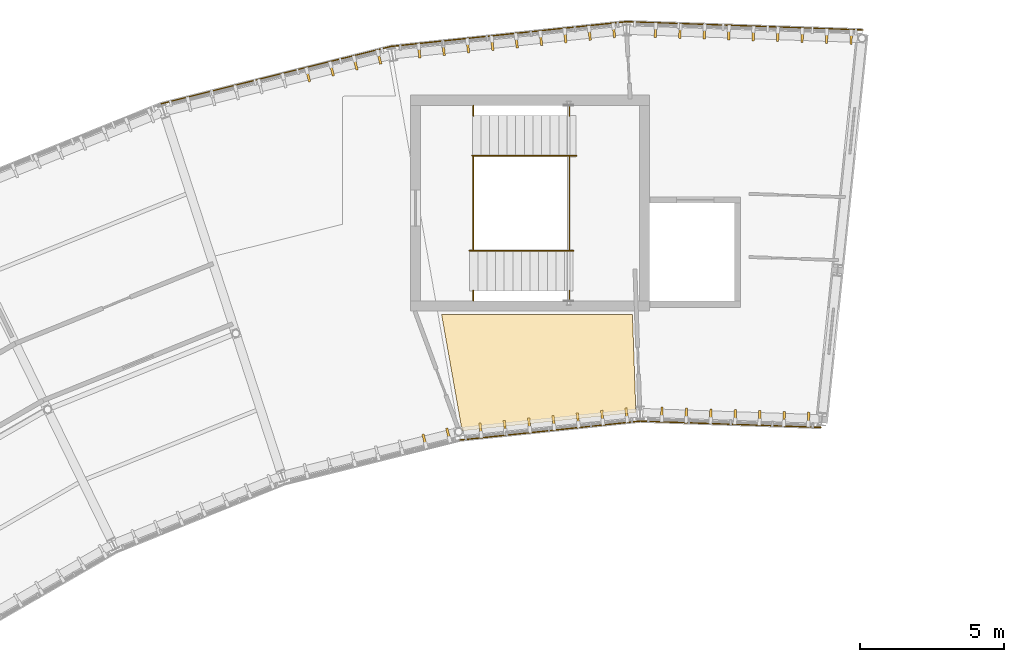
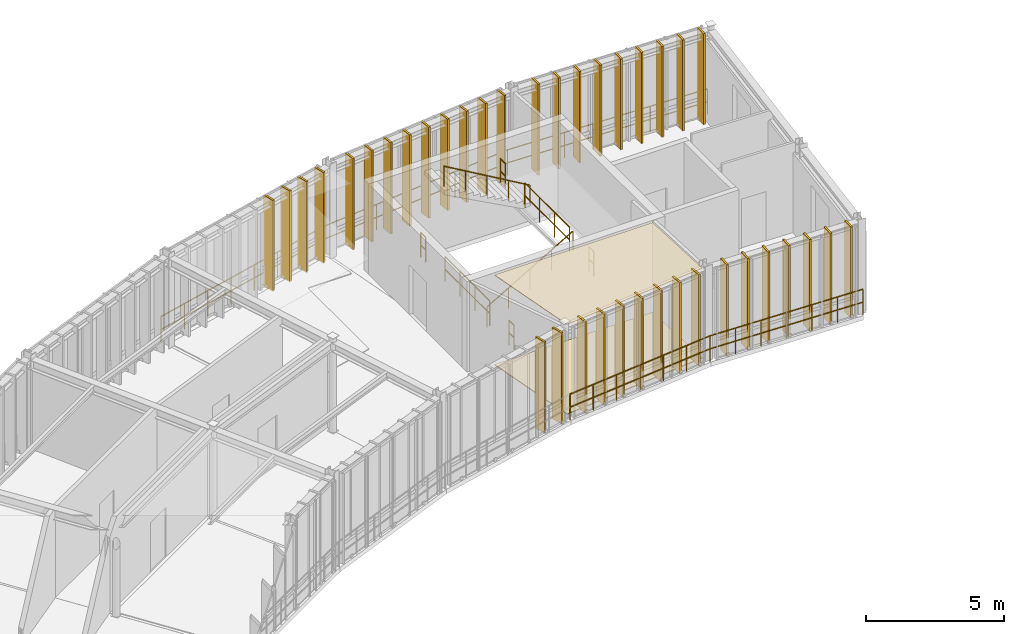
# One storey, part 52 of 52: 40 coverings, 13 railings.
"""IFC4 building model written with IfcOpenShell, lengths in metres."""

from ifc_helpers import new_model, si_unit, direction, frame, origin, origin_2d, place, context, subcontext, project, spatial, polyline, rectangle, circle, outline, extrude, material, layer, layer_set, type_object, element, save


model = new_model("IFC4")

# Units and contexts
model_context = context("Model", 3, precision=1e-05, world=origin(), true_north=direction((0.0, 1.0)))
body_context = subcontext(model_context, "Body", "Model", "MODEL_VIEW")
ifc_project = project(units=[si_unit("LENGTHUNIT", "METRE"), si_unit("AREAUNIT", "SQUARE_METRE"), si_unit("VOLUMEUNIT", "CUBIC_METRE"), si_unit("PLANEANGLEUNIT", "RADIAN"), si_unit("MASSUNIT", "GRAM", prefix="KILO"), si_unit("THERMODYNAMICTEMPERATUREUNIT", "KELVIN"), si_unit("POWERUNIT", "WATT")], contexts=[model_context])

# Site, building, storey
site_placement = place(None, origin())
site = spatial("IfcSite", under=ifc_project, at=site_placement, CompositionType="ELEMENT")
building_placement = place(site_placement, origin())
building = spatial("IfcBuilding", under=site, at=building_placement, Name="Solvatero Civic Police Headquarters", CompositionType="ELEMENT")
storey_placement = place(building_placement, frame((0.0, 0.0, 13.5)))
storey = spatial("IfcBuildingStorey", under=building, at=storey_placement, Name="L03", CompositionType="ELEMENT", Elevation=13.5)

# Coverings
ifc_material_1 = material(Name="Mineral-Fibre Acoustic Tile", Category="gypsum")
ifc_layer_1 = layer(ifc_material_1, 0.02490234375)
ifc_layer_set_1 = layer_set([ifc_layer_1], Name="Mineral-Fibre Acoustic Tile")
covering_type_1 = type_object("IfcCoveringType", Name="COV-CEIL-AC", PredefinedType="CEILING", material=ifc_layer_set_1)
covering_1_placement = place(storey_placement, frame((0.0, 0.0, 3.97509765625)))
element("IfcCovering", 1, at=covering_1_placement, inside=storey, type_object=covering_type_1, Name="Acoustic Ceiling Cybercrime Financial Tracing Unit Bay 2", PredefinedType="CEILING", context=body_context, shape_type="SweptSolid", body=[
    extrude(outline(polyline([(86.2412109375, 70.693603515625), (85.529296875, 74.72998046875), (92.158203125, 74.72998046875), (92.277099609375, 71.327880859375), (86.2412109375, 70.693603515625)])), origin(), (0.0, 0.0, 1.0), 0.02490234375),
])
ifc_material_2 = material(Name="Anodized Bronze Aluminium", Category="aluminium")
ifc_layer_2 = layer(ifc_material_2, 0.080078125)
ifc_layer_set_2 = layer_set([ifc_layer_2], Name="Anodized Bronze Aluminium")
covering_type_2 = type_object("IfcCoveringType", Name="COV-FIN-480", PredefinedType="CLADDING", material=ifc_layer_set_2)
for number, where, z_axis, x_axis, name in (
    (2, (99.7548828125, 84.361083984375, -0.02001953125), (0.0, 0.0, 1.0), (-0.999390217756, 0.034916939358, 0.0), "Vertical Brise-Soleil Fin 0567"),
    (3, (98.905517578125, 84.390869140625, -0.02001953125), (0.0, 0.0, 1.0), (-0.999390217756, 0.034916939358, 0.0), "Vertical Brise-Soleil Fin 0568"),
    (4, (98.055908203125, 84.42041015625, -0.02001953125), (0.0, 0.0, 1.0), (-0.999390217756, 0.034916939358, 0.0), "Vertical Brise-Soleil Fin 0569"),
    (5, (97.20654296875, 84.4501953125, -0.02001953125), (0.0, 0.0, 1.0), (-0.999390217756, 0.034916939358, 0.0), "Vertical Brise-Soleil Fin 0570"),
    (6, (96.357177734375, 84.47998046875, -0.02001953125), (0.0, 0.0, 1.0), (-0.999390217756, 0.034916939358, 0.0), "Vertical Brise-Soleil Fin 0571"),
    (7, (95.507568359375, 84.509521484375, -0.02001953125), (0.0, 0.0, 1.0), (-0.999390217756, 0.034916939358, 0.0), "Vertical Brise-Soleil Fin 0572"),
    (8, (94.658203125, 84.539306640625, -0.02001953125), (0.0, 0.0, 1.0), (-0.999390217756, 0.034916939358, 0.0), "Vertical Brise-Soleil Fin 0573"),
    (9, (93.80859375, 84.56884765625, -0.02001953125), (0.0, 0.0, 1.0), (-0.999390217756, 0.034916939358, 0.0), "Vertical Brise-Soleil Fin 0574"),
    (10, (92.958984375, 84.598388671875, -0.02001953125), (0.0, 0.0, 1.0), (-0.999390217756, 0.034916939358, 0.0), "Vertical Brise-Soleil Fin 0575"),
    (11, (98.275146484375, 71.098388671875, -0.02001953125), (0.0, 0.0, 1.0), (-0.999390827019, 0.034899496703, 0.0), "Vertical Brise-Soleil Fin 0576"),
    (12, (97.425537109375, 71.1279296875, -0.02001953125), (0.0, 0.0, 1.0), (-0.999390827019, 0.034899496703, 0.0), "Vertical Brise-Soleil Fin 0577"),
    (13, (96.576171875, 71.15771484375, -0.02001953125), (0.0, 0.0, 1.0), (-0.999390827019, 0.034899496703, 0.0), "Vertical Brise-Soleil Fin 0578"),
    (14, (95.7265625, 71.1875, -0.02001953125), (0.0, 0.0, 1.0), (-0.999390827019, 0.034899496703, 0.0), "Vertical Brise-Soleil Fin 0579"),
    (15, (94.877197265625, 71.217041015625, -0.02001953125), (0.0, 0.0, 1.0), (-0.999390827019, 0.034899496703, 0.0), "Vertical Brise-Soleil Fin 0580"),
    (16, (94.027587890625, 71.24658203125, -0.02001953125), (0.0, 0.0, 1.0), (-0.999390827019, 0.034899496703, 0.0), "Vertical Brise-Soleil Fin 0581"),
    (17, (93.17822265625, 71.2763671875, -0.02001953125), (0.0, 0.0, 1.0), (-0.999390827019, 0.034899496703, 0.0), "Vertical Brise-Soleil Fin 0582"),
    (18, (91.513427734375, 84.58740234375, -0.02001953125), (0.0, 0.0, 1.0), (-0.994523719583, -0.10451110557, 0.0), "Vertical Brise-Soleil Fin 0583"),
    (19, (90.668212890625, 84.498779296875, -0.02001953125), (0.0, 0.0, 1.0), (-0.994523719583, -0.10451110557, 0.0), "Vertical Brise-Soleil Fin 0584"),
    (20, (89.82275390625, 84.409912109375, -0.02001953125), (0.0, 0.0, 1.0), (-0.994523719583, -0.10451110557, 0.0), "Vertical Brise-Soleil Fin 0585"),
    (21, (88.977294921875, 84.321044921875, -0.02001953125), (0.0, 0.0, 1.0), (-0.994523719583, -0.10451110557, 0.0), "Vertical Brise-Soleil Fin 0586"),
    (22, (88.132080078125, 84.232177734375, -0.02001953125), (0.0, 0.0, 1.0), (-0.994523719583, -0.10451110557, 0.0), "Vertical Brise-Soleil Fin 0587"),
    (23, (87.28662109375, 84.143310546875, -0.02001953125), (0.0, 0.0, 1.0), (-0.994523719583, -0.10451110557, 0.0), "Vertical Brise-Soleil Fin 0588"),
    (24, (86.44140625, 84.054443359375, -0.02001953125), (0.0, 0.0, 1.0), (-0.994523719583, -0.10451110557, 0.0), "Vertical Brise-Soleil Fin 0589"),
    (25, (85.595947265625, 83.965576171875, -0.02001953125), (0.0, 0.0, 1.0), (-0.994523719583, -0.10451110557, 0.0), "Vertical Brise-Soleil Fin 0590"),
    (26, (84.750732421875, 83.876708984375, -0.02001953125), (0.0, 0.0, 1.0), (-0.994523719583, -0.10451110557, 0.0), "Vertical Brise-Soleil Fin 0591"),
    (27, (91.956787109375, 71.25439453125, -0.02001953125), (0.0, 0.0, 1.0), (-0.994521895368, -0.104528463268, 0.0), "Vertical Brise-Soleil Fin 0592"),
    (28, (91.111572265625, 71.16552734375, -0.02001953125), (0.0, 0.0, 1.0), (-0.994521895368, -0.104528463268, 0.0), "Vertical Brise-Soleil Fin 0593"),
    (29, (90.266357421875, 71.07666015625, -0.02001953125), (0.0, 0.0, 1.0), (-0.994521895368, -0.104528463268, 0.0), "Vertical Brise-Soleil Fin 0594"),
    (30, (89.4208984375, 70.98779296875, -0.02001953125), (0.0, 0.0, 1.0), (-0.994521895368, -0.104528463268, 0.0), "Vertical Brise-Soleil Fin 0595"),
    (31, (88.57568359375, 70.89892578125, -0.02001953125), (0.0, 0.0, 1.0), (-0.994521895368, -0.104528463268, 0.0), "Vertical Brise-Soleil Fin 0596"),
    (32, (87.730224609375, 70.810302734375, -0.02001953125), (0.0, 0.0, 1.0), (-0.994521895368, -0.104528463268, 0.0), "Vertical Brise-Soleil Fin 0597"),
    (33, (86.885009765625, 70.72119140625, -0.02001953125), (0.0, 0.0, 1.0), (-0.994521895368, -0.104528463268, 0.0), "Vertical Brise-Soleil Fin 0598"),
    (34, (83.359619140625, 83.665283203125, -0.02001953125), (0.0, 0.0, 1.0), (-0.970295726276, -0.2419218956, 0.0), "Vertical Brise-Soleil Fin 0599"),
    (35, (82.534912109375, 83.459716796875, -0.02001953125), (0.0, 0.0, 1.0), (-0.970295726276, -0.2419218956, 0.0), "Vertical Brise-Soleil Fin 0600"),
    (36, (81.710205078125, 83.254150390625, -0.02001953125), (0.0, 0.0, 1.0), (-0.970295726276, -0.2419218956, 0.0), "Vertical Brise-Soleil Fin 0601"),
    (37, (80.885498046875, 83.04833984375, -0.02001953125), (0.0, 0.0, 1.0), (-0.970295726276, -0.2419218956, 0.0), "Vertical Brise-Soleil Fin 0602"),
    (38, (85.764404296875, 70.551025390625, -0.02001953125), (0.0, 0.0, 1.0), (-0.970299948462, -0.241904960708, 0.0), "Vertical Brise-Soleil Fin 0608"),
    (39, (84.939697265625, 70.345458984375, -0.02001953125), (0.0, 0.0, 1.0), (-0.970299948462, -0.241904960708, 0.0), "Vertical Brise-Soleil Fin 0609"),
):
    element("IfcCovering", number, at=place(storey_placement, frame(where, z_axis=z_axis, x_axis=x_axis)), inside=storey, type_object=covering_type_2, Name=name, PredefinedType="CLADDING", context=body_context, shape_type="SweptSolid", body=[
        extrude(rectangle(XDim=0.080078125, YDim=0.47998046875, at=origin_2d()), origin(), (0.0, 0.0, 1.0), 4.0400390625),
    ])
ifc_material_3 = material(Name="Venetian Terrazzo Stone", Category="masonry")
ifc_layer_3 = layer(ifc_material_3, 0.034912109375)
ifc_layer_set_3 = layer_set([ifc_layer_3], Name="Venetian Terrazzo Stone")
covering_type_3 = type_object("IfcCoveringType", Name="COV-FLR-TER", PredefinedType="FLOORING", material=ifc_layer_set_3)
covering_2_placement = place(storey_placement, origin())
element("IfcCovering", 40, at=covering_2_placement, inside=storey, type_object=covering_type_3, Name="Flooring Cybercrime Financial Tracing Unit Bay 2", PredefinedType="FLOORING", context=body_context, shape_type="SweptSolid", body=[
    extrude(outline(polyline([(86.2412109375, 70.693603515625), (85.529296875, 74.72998046875), (92.158203125, 74.72998046875), (92.277099609375, 71.327880859375), (86.2412109375, 70.693603515625)])), origin(), (0.0, 0.0, 1.0), 0.034912109375),
])

# Railings
ifc_material_4 = material(Name="Anodized Bronze and Laminated Glass", Category="glass")
railing_type_1 = type_object("IfcRailingType", Name="RL-BAL-115", PredefinedType="BALUSTRADE", material=ifc_material_4)
railing_1_placement = place(storey_placement, frame((98.710205078125, 70.813232421875, 0.0)))
element("IfcRailing", 41, at=railing_1_placement, inside=storey, type_object=railing_type_1, Name="Glazed Facade Sill Balustrade RL-L03-ARCIN-B01", PredefinedType="BALUSTRADE", context=body_context, shape_type="SweptSolid", body=[
    extrude(circle(Radius=0.02392578125, at=origin_2d()), frame((0.0, 0.0, 1.1259765625), z_axis=(-0.999390354314, 0.034913030564, 0.0), x_axis=(-0.034913030564, -0.999390354314, 0.0)), (0.0, 0.0, 1.0), 6.28662109375),
    extrude(circle(Radius=0.02392578125, at=origin_2d()), frame((0.0, 0.0, 0.55078125), z_axis=(-0.999390354314, 0.034913030564, 0.0), x_axis=(-0.034913030564, -0.999390354314, 0.0)), (0.0, 0.0, 1.0), 6.28662109375),
    extrude(circle(Radius=0.02099609375, at=origin_2d()), origin(), (0.0, 0.0, 1.0), 1.101806640625),
    extrude(circle(Radius=0.02099609375, at=origin_2d()), frame((-1.047119140625, 0.03662109375, 0.0)), (0.0, 0.0, 1.0), 1.101806640625),
    extrude(circle(Radius=0.02099609375, at=origin_2d()), frame((-2.09423828125, 0.0732421875, 0.0)), (0.0, 0.0, 1.0), 1.101806640625),
    extrude(circle(Radius=0.02099609375, at=origin_2d()), frame((-3.141357421875, 0.10986328125, 0.0)), (0.0, 0.0, 1.0), 1.101806640625),
    extrude(circle(Radius=0.02099609375, at=origin_2d()), frame((-4.1884765625, 0.146240234375, 0.0)), (0.0, 0.0, 1.0), 1.101806640625),
    extrude(circle(Radius=0.02099609375, at=origin_2d()), frame((-5.235595703125, 0.182861328125, 0.0)), (0.0, 0.0, 1.0), 1.101806640625),
    extrude(circle(Radius=0.02099609375, at=origin_2d()), frame((-6.28271484375, 0.219482421875, 0.0)), (0.0, 0.0, 1.0), 1.101806640625),
])
railing_2_placement = place(storey_placement, frame((100.160888671875, 84.6171875, 0.0)))
element("IfcRailing", 42, at=railing_2_placement, inside=storey, type_object=railing_type_1, Name="Glazed Facade Sill Balustrade RL-L03-ARCOUT-B01", PredefinedType="BALUSTRADE", context=body_context, shape_type="SweptSolid", body=[
    extrude(circle(Radius=0.02392578125, at=origin_2d()), frame((0.0, 0.0, 1.1259765625), z_axis=(-0.999391275439, 0.034886653257, 0.0), x_axis=(-0.034886653257, -0.999391275439, 0.0)), (0.0, 0.0, 1.0), 8.222900390625),
    extrude(circle(Radius=0.02392578125, at=origin_2d()), frame((0.0, 0.0, 0.55078125), z_axis=(-0.999391275439, 0.034886653257, 0.0), x_axis=(-0.034886653257, -0.999391275439, 0.0)), (0.0, 0.0, 1.0), 8.222900390625),
    extrude(circle(Radius=0.02099609375, at=origin_2d()), origin(), (0.0, 0.0, 1.0), 1.101806640625),
    extrude(circle(Radius=0.02099609375, at=origin_2d()), frame((-1.174072265625, 0.041015625, 0.0)), (0.0, 0.0, 1.0), 1.101806640625),
    extrude(circle(Radius=0.02099609375, at=origin_2d()), frame((-2.347900390625, 0.08203125, 0.0)), (0.0, 0.0, 1.0), 1.101806640625),
    extrude(circle(Radius=0.02099609375, at=origin_2d()), frame((-3.52197265625, 0.123046875, 0.0)), (0.0, 0.0, 1.0), 1.101806640625),
    extrude(circle(Radius=0.02099609375, at=origin_2d()), frame((-4.69580078125, 0.163818359375, 0.0)), (0.0, 0.0, 1.0), 1.101806640625),
    extrude(circle(Radius=0.02099609375, at=origin_2d()), frame((-5.869873046875, 0.204833984375, 0.0)), (0.0, 0.0, 1.0), 1.101806640625),
    extrude(circle(Radius=0.02099609375, at=origin_2d()), frame((-7.043701171875, 0.245849609375, 0.0)), (0.0, 0.0, 1.0), 1.101806640625),
    extrude(circle(Radius=0.02099609375, at=origin_2d()), frame((-8.2177734375, 0.286865234375, 0.0)), (0.0, 0.0, 1.0), 1.101806640625),
])
railing_3_placement = place(storey_placement, frame((92.427490234375, 71.03271484375, 0.0)))
element("IfcRailing", 43, at=railing_3_placement, inside=storey, type_object=railing_type_1, Name="Glazed Facade Sill Balustrade RL-L03-ARCIN-B02", PredefinedType="BALUSTRADE", context=body_context, shape_type="SweptSolid", body=[
    extrude(circle(Radius=0.02392578125, at=origin_2d()), frame((0.0, 0.0, 1.1259765625), z_axis=(-0.994520338393, -0.104543275839, 0.0), x_axis=(0.104543275839, -0.994520338393, 0.0)), (0.0, 0.0, 1.0), 6.28662109375),
    extrude(circle(Radius=0.02392578125, at=origin_2d()), frame((0.0, 0.0, 0.55078125), z_axis=(-0.994520338393, -0.104543275839, 0.0), x_axis=(0.104543275839, -0.994520338393, 0.0)), (0.0, 0.0, 1.0), 6.28662109375),
    extrude(circle(Radius=0.02099609375, at=origin_2d()), origin(), (0.0, 0.0, 1.0), 1.101806640625),
    extrude(circle(Radius=0.02099609375, at=origin_2d()), frame((-1.0419921875, -0.109619140625, 0.0)), (0.0, 0.0, 1.0), 1.101806640625),
    extrude(circle(Radius=0.02099609375, at=origin_2d()), frame((-2.083984375, -0.218994140625, 0.0)), (0.0, 0.0, 1.0), 1.101806640625),
    extrude(circle(Radius=0.02099609375, at=origin_2d()), frame((-3.1259765625, -0.32861328125, 0.0)), (0.0, 0.0, 1.0), 1.101806640625),
    extrude(circle(Radius=0.02099609375, at=origin_2d()), frame((-4.168212890625, -0.438232421875, 0.0)), (0.0, 0.0, 1.0), 1.101806640625),
    extrude(circle(Radius=0.02099609375, at=origin_2d()), frame((-5.210205078125, -0.547607421875, 0.0)), (0.0, 0.0, 1.0), 1.101806640625),
    extrude(circle(Radius=0.02099609375, at=origin_2d()), frame((-6.252197265625, -0.6572265625, 0.0)), (0.0, 0.0, 1.0), 1.101806640625),
])
railing_4_placement = place(storey_placement, frame((91.943115234375, 84.904052734375, 0.0)))
element("IfcRailing", 44, at=railing_4_placement, inside=storey, type_object=railing_type_1, Name="Glazed Facade Sill Balustrade RL-L03-ARCOUT-B02", PredefinedType="BALUSTRADE", context=body_context, shape_type="SweptSolid", body=[
    extrude(circle(Radius=0.02392578125, at=origin_2d()), frame((0.0, 0.0, 1.1259765625), z_axis=(-0.994523983361, -0.104508595439, 0.0), x_axis=(0.104508595439, -0.994523983361, 0.0)), (0.0, 0.0, 1.0), 8.222900390625),
    extrude(circle(Radius=0.02392578125, at=origin_2d()), frame((0.0, 0.0, 0.55078125), z_axis=(-0.994523983361, -0.104508595439, 0.0), x_axis=(0.104508595439, -0.994523983361, 0.0)), (0.0, 0.0, 1.0), 8.222900390625),
    extrude(circle(Radius=0.02099609375, at=origin_2d()), origin(), (0.0, 0.0, 1.0), 1.101806640625),
    extrude(circle(Radius=0.02099609375, at=origin_2d()), frame((-1.168212890625, -0.122802734375, 0.0)), (0.0, 0.0, 1.0), 1.101806640625),
    extrude(circle(Radius=0.02099609375, at=origin_2d()), frame((-2.336669921875, -0.24560546875, 0.0)), (0.0, 0.0, 1.0), 1.101806640625),
    extrude(circle(Radius=0.02099609375, at=origin_2d()), frame((-3.5048828125, -0.368408203125, 0.0)), (0.0, 0.0, 1.0), 1.101806640625),
    extrude(circle(Radius=0.02099609375, at=origin_2d()), frame((-4.673095703125, -0.490966796875, 0.0)), (0.0, 0.0, 1.0), 1.101806640625),
    extrude(circle(Radius=0.02099609375, at=origin_2d()), frame((-5.84130859375, -0.61376953125, 0.0)), (0.0, 0.0, 1.0), 1.101806640625),
    extrude(circle(Radius=0.02099609375, at=origin_2d()), frame((-7.009765625, -0.736572265625, 0.0)), (0.0, 0.0, 1.0), 1.101806640625),
    extrude(circle(Radius=0.02099609375, at=origin_2d()), frame((-8.177978515625, -0.859375, 0.0)), (0.0, 0.0, 1.0), 1.101806640625),
])
railing_5_placement = place(storey_placement, frame((83.76513671875, 84.044677734375, 0.0)))
element("IfcRailing", 45, at=railing_5_placement, inside=storey, type_object=railing_type_1, Name="Glazed Facade Sill Balustrade RL-L03-ARCOUT-B03", PredefinedType="BALUSTRADE", context=body_context, shape_type="SweptSolid", body=[
    extrude(circle(Radius=0.02392578125, at=origin_2d()), frame((0.0, 0.0, 1.1259765625), z_axis=(-0.970295999012, -0.241920801712, 0.0), x_axis=(0.241920801712, -0.970295999012, 0.0)), (0.0, 0.0, 1.0), 8.22265625),
    extrude(circle(Radius=0.02392578125, at=origin_2d()), frame((0.0, 0.0, 0.55078125), z_axis=(-0.970295999012, -0.241920801712, 0.0), x_axis=(0.241920801712, -0.970295999012, 0.0)), (0.0, 0.0, 1.0), 8.22265625),
    extrude(circle(Radius=0.02099609375, at=origin_2d()), origin(), (0.0, 0.0, 1.0), 1.101806640625),
    extrude(circle(Radius=0.02099609375, at=origin_2d()), frame((-1.139892578125, -0.2841796875, 0.0)), (0.0, 0.0, 1.0), 1.101806640625),
    extrude(circle(Radius=0.02099609375, at=origin_2d()), frame((-2.279541015625, -0.568359375, 0.0)), (0.0, 0.0, 1.0), 1.101806640625),
    extrude(circle(Radius=0.02099609375, at=origin_2d()), frame((-3.41943359375, -0.8525390625, 0.0)), (0.0, 0.0, 1.0), 1.101806640625),
    extrude(circle(Radius=0.02099609375, at=origin_2d()), frame((-4.55908203125, -1.13671875, 0.0)), (0.0, 0.0, 1.0), 1.101806640625),
    extrude(circle(Radius=0.02099609375, at=origin_2d()), frame((-5.698974609375, -1.4208984375, 0.0)), (0.0, 0.0, 1.0), 1.101806640625),
    extrude(circle(Radius=0.02099609375, at=origin_2d()), frame((-6.838623046875, -1.705078125, 0.0)), (0.0, 0.0, 1.0), 1.101806640625),
    extrude(circle(Radius=0.02099609375, at=origin_2d()), frame((-7.978515625, -1.9892578125, 0.0)), (0.0, 0.0, 1.0), 1.101806640625),
])
ifc_material_5 = material(Name="Painted Galvanized Steel", Category="steel")
railing_type_2 = type_object("IfcRailingType", Name="RL-GRD-110", PredefinedType="GUARDRAIL", material=ifc_material_5)
railing_6_placement = place(storey_placement, frame((86.6298828125, 76.97998046875, 0.0)))
element("IfcRailing", 46, at=railing_6_placement, inside=storey, type_object=railing_type_2, Name="ST-C3 L03 Floor Well Guardrail", PredefinedType="GUARDRAIL", context=body_context, shape_type="SweptSolid", body=[
    extrude(circle(Radius=0.02392578125, at=origin_2d()), frame((0.0, 0.0, 1.09619140625), z_axis=(0.0, 1.0, 0.0), x_axis=(-1.0, 0.0, 0.0)), (0.0, 0.0, 1.0), 3.239990234375),
    extrude(circle(Radius=0.02392578125, at=origin_2d()), frame((0.0, 0.0, 0.5361328125), z_axis=(0.0, 1.0, 0.0), x_axis=(-1.0, 0.0, 0.0)), (0.0, 0.0, 1.0), 3.239990234375),
    extrude(circle(Radius=0.02099609375, at=origin_2d()), origin(), (0.0, 0.0, 1.0), 1.072021484375),
    extrude(circle(Radius=0.02099609375, at=origin_2d()), frame((0.0, 1.080078125, 0.0)), (0.0, 0.0, 1.0), 1.072021484375),
    extrude(circle(Radius=0.02099609375, at=origin_2d()), frame((0.0, 2.159912109375, 0.0)), (0.0, 0.0, 1.0), 1.072021484375),
    extrude(circle(Radius=0.02099609375, at=origin_2d()), frame((0.0, 3.239990234375, 0.0)), (0.0, 0.0, 1.0), 1.072021484375),
])
for number, where, name in (
    (47, (86.6298828125, 75.2099609375, 0.0), "ST-C3 L03 Floor Well South Slot Guardrail"),
    (48, (86.6298828125, 81.6298828125, 0.0), "ST-C3 L03 Floor Well North Slot Guardrail"),
):
    element("IfcRailing", number, at=place(storey_placement, frame(where)), inside=storey, type_object=railing_type_2, Name=name, PredefinedType="GUARDRAIL", context=body_context, shape_type="SweptSolid", body=[
        extrude(circle(Radius=0.02392578125, at=origin_2d()), frame((0.0, 0.0, 1.09619140625), z_axis=(0.0, 1.0, 0.0), x_axis=(-1.0, 0.0, 0.0)), (0.0, 0.0, 1.0), 0.360107421875),
        extrude(circle(Radius=0.02392578125, at=origin_2d()), frame((0.0, 0.0, 0.5361328125), z_axis=(0.0, 1.0, 0.0), x_axis=(-1.0, 0.0, 0.0)), (0.0, 0.0, 1.0), 0.360107421875),
        extrude(circle(Radius=0.02099609375, at=origin_2d()), origin(), (0.0, 0.0, 1.0), 1.072021484375),
        extrude(circle(Radius=0.02099609375, at=origin_2d()), frame((0.0, 0.360107421875, 0.0)), (0.0, 0.0, 1.0), 1.072021484375),
    ])
railing_7_placement = place(storey_placement, frame((89.969970703125, 76.97998046875, 2.10009765625)))
element("IfcRailing", 49, at=railing_7_placement, inside=storey, type_object=railing_type_2, Name="ST-C3 L03 Half-Landing Well Guardrail", PredefinedType="GUARDRAIL", context=body_context, shape_type="SweptSolid", body=[
    extrude(circle(Radius=0.02392578125, at=origin_2d()), frame((0.0, 0.0, 1.09619140625), z_axis=(0.0, 1.0, 0.0), x_axis=(-1.0, 0.0, 0.0)), (0.0, 0.0, 1.0), 3.239990234375),
    extrude(circle(Radius=0.02392578125, at=origin_2d()), frame((0.0, 0.0, 0.5361328125), z_axis=(0.0, 1.0, 0.0), x_axis=(-1.0, 0.0, 0.0)), (0.0, 0.0, 1.0), 3.239990234375),
    extrude(circle(Radius=0.02099609375, at=origin_2d()), origin(), (0.0, 0.0, 1.0), 1.072021484375),
    extrude(circle(Radius=0.02099609375, at=origin_2d()), frame((0.0, 1.080078125, 0.0)), (0.0, 0.0, 1.0), 1.072021484375),
    extrude(circle(Radius=0.02099609375, at=origin_2d()), frame((0.0, 2.159912109375, 0.0)), (0.0, 0.0, 1.0), 1.072021484375),
    extrude(circle(Radius=0.02099609375, at=origin_2d()), frame((0.0, 3.239990234375, 0.0)), (0.0, 0.0, 1.0), 1.072021484375),
])
for number, where, name in (
    (50, (89.969970703125, 75.2099609375, 2.10009765625), "ST-C3 L03 Half-Landing South Slot Guardrail"),
    (51, (89.969970703125, 81.6298828125, 2.10009765625), "ST-C3 L03 Half-Landing North Slot Guardrail"),
):
    element("IfcRailing", number, at=place(storey_placement, frame(where)), inside=storey, type_object=railing_type_2, Name=name, PredefinedType="GUARDRAIL", context=body_context, shape_type="SweptSolid", body=[
        extrude(circle(Radius=0.02392578125, at=origin_2d()), frame((0.0, 0.0, 1.09619140625), z_axis=(0.0, 1.0, 0.0), x_axis=(-1.0, 0.0, 0.0)), (0.0, 0.0, 1.0), 0.360107421875),
        extrude(circle(Radius=0.02392578125, at=origin_2d()), frame((0.0, 0.0, 0.5361328125), z_axis=(0.0, 1.0, 0.0), x_axis=(-1.0, 0.0, 0.0)), (0.0, 0.0, 1.0), 0.360107421875),
        extrude(circle(Radius=0.02099609375, at=origin_2d()), origin(), (0.0, 0.0, 1.0), 1.072021484375),
        extrude(circle(Radius=0.02099609375, at=origin_2d()), frame((0.0, 0.360107421875, 0.0)), (0.0, 0.0, 1.0), 1.072021484375),
    ])
ifc_material_6 = material(Name="Brushed Stainless Steel", Category="steel")
railing_type_3 = type_object("IfcRailingType", Name="RL-HND-092", PredefinedType="HANDRAIL", material=ifc_material_6)
railing_8_placement = place(storey_placement, frame((86.5, 76.949951171875, 0.0)))
element("IfcRailing", 52, at=railing_8_placement, inside=storey, type_object=railing_type_3, Name="ST-C3 L03 Flight 1 Handrail", PredefinedType="HANDRAIL", context=body_context, shape_type="SweptSolid", body=[
    extrude(circle(Radius=0.02392578125, at=origin_2d()), frame((0.0, 0.0, 0.89599609375), z_axis=(0.863774651768, 0.0, 0.503878309678), x_axis=(0.0, 1.0, 0.0)), (0.0, 0.0, 1.0), 4.16796875),
    extrude(circle(Radius=0.02099609375, at=origin_2d()), origin(), (0.0, 0.0, 1.0), 0.871826171875),
    extrude(circle(Radius=0.02099609375, at=origin_2d()), frame((0.89990234375, 0.0, 0.52490234375)), (0.0, 0.0, 1.0), 0.871826171875),
    extrude(circle(Radius=0.02099609375, at=origin_2d()), frame((1.800048828125, 0.0, 1.050048828125)), (0.0, 0.0, 1.0), 0.871826171875),
    extrude(circle(Radius=0.02099609375, at=origin_2d()), frame((2.7001953125, 0.0, 1.5751953125)), (0.0, 0.0, 1.0), 0.871826171875),
    extrude(circle(Radius=0.02099609375, at=origin_2d()), frame((3.60009765625, 0.0, 2.10009765625)), (0.0, 0.0, 1.0), 0.871826171875),
])
railing_9_placement = place(storey_placement, frame((90.199951171875, 80.25, 2.10009765625)))
element("IfcRailing", 53, at=railing_9_placement, inside=storey, type_object=railing_type_3, Name="ST-C3 L03 Flight 2 Handrail", PredefinedType="HANDRAIL", context=body_context, shape_type="SweptSolid", body=[
    extrude(circle(Radius=0.02392578125, at=origin_2d()), frame((0.0, 0.0, 0.89599609375), z_axis=(-0.86378527499, 0.0, 0.503860098351), x_axis=(0.0, -1.0, 0.0)), (0.0, 0.0, 1.0), 4.16748046875),
    extrude(circle(Radius=0.02099609375, at=origin_2d()), origin(), (0.0, 0.0, 1.0), 0.871826171875),
    extrude(circle(Radius=0.02099609375, at=origin_2d()), frame((-0.89990234375, 0.0, 0.52490234375)), (0.0, 0.0, 1.0), 0.871826171875),
    extrude(circle(Radius=0.02099609375, at=origin_2d()), frame((-1.7998046875, 0.0, 1.0498046875)), (0.0, 0.0, 1.0), 0.871826171875),
    extrude(circle(Radius=0.02099609375, at=origin_2d()), frame((-2.699951171875, 0.0, 1.574951171875)), (0.0, 0.0, 1.0), 0.871826171875),
    extrude(circle(Radius=0.02099609375, at=origin_2d()), frame((-3.599853515625, 0.0, 2.099853515625)), (0.0, 0.0, 1.0), 0.871826171875),
])

save(model, "model.ifc")
